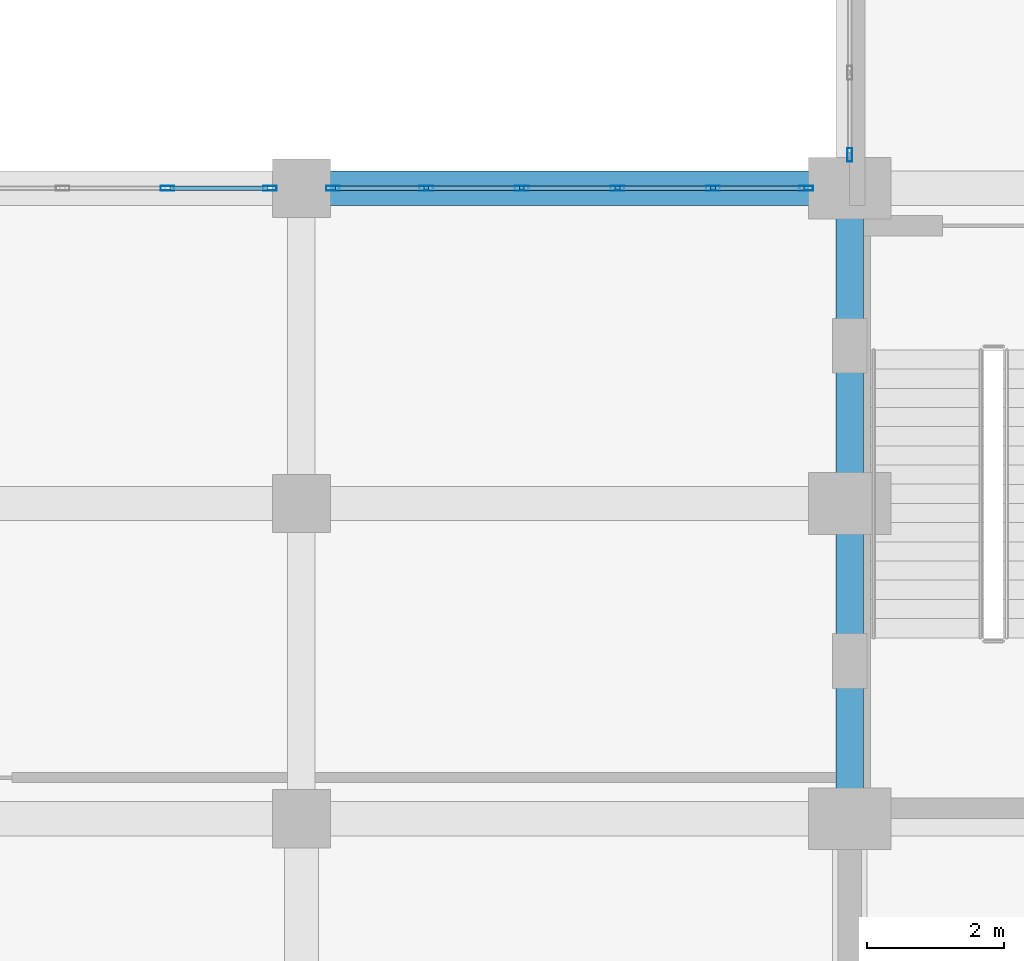
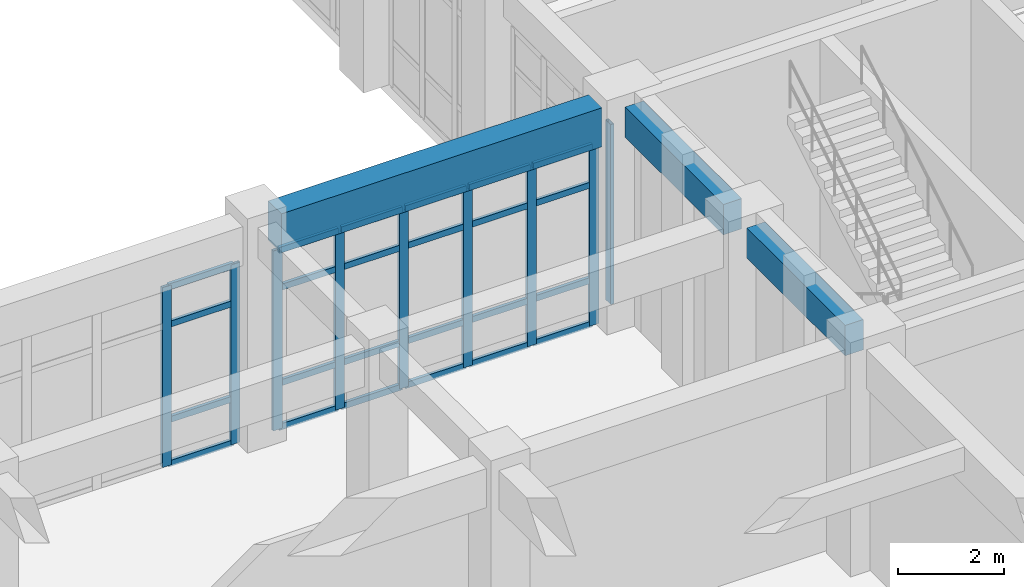
# One storey, part 11 of 84: 33 members, 3 beams, 3 elements without a shape of their own.
"""IFC4 building model written with IfcOpenShell, lengths in metres."""

from ifc_helpers import new_model, si_unit, direction, frame, origin, origin_2d, place, context, subcontext, project, spatial, rectangle, hollow_rectangle, extrude, material, layer, layer_set, material_profile, profile_set, type_object, element, aggregate, save


model = new_model("IFC4")

# Units and contexts
model_context = context("Model", 3, precision=1e-05, world=origin(), true_north=direction((0.0, 1.0)))
body_context = subcontext(model_context, "Body", "Model", "MODEL_VIEW")
ifc_project = project(units=[si_unit("LENGTHUNIT", "METRE"), si_unit("AREAUNIT", "SQUARE_METRE"), si_unit("VOLUMEUNIT", "CUBIC_METRE"), si_unit("PLANEANGLEUNIT", "RADIAN"), si_unit("MASSUNIT", "GRAM", prefix="KILO")], contexts=[model_context])

# Site, building, storey
site_placement = place(None, origin())
site = spatial("IfcSite", under=ifc_project, at=site_placement, CompositionType="ELEMENT")
building_placement = place(site_placement, origin())
building = spatial("IfcBuilding", under=site, at=building_placement, Name="Muzn Square Opera House", CompositionType="ELEMENT")
storey_placement = place(building_placement, origin())
storey = spatial("IfcBuildingStorey", under=building, at=storey_placement, Name="L00", CompositionType="ELEMENT", Elevation=0.0)

# Curtain wall, member
ifc_material_1 = material(Name="Low-E laminated acoustic double glazing", Category="glass")
ifc_layer_1 = layer(ifc_material_1, 0.159912109375, Name="Low-E laminated acoustic double glazing", Category="glass")
ifc_layer_set_1 = layer_set([ifc_layer_1], Name="Low-E laminated acoustic double glazing")
curtain_wall_type_1 = type_object("IfcCurtainWallType", Name="Glazed Curtain Wall WestVaultCourt 3700x4150", PredefinedType="USERDEFINED", material=ifc_layer_set_1)
curtain_wall_1_placement = place(storey_placement, origin())
curtain_wall_1 = element("IfcCurtainWall", 1, at=curtain_wall_1_placement, inside=storey, type_object=curtain_wall_type_1, Name="Glazed Curtain Wall CW-L00-029", ObjectType="GLAZED CURTAIN WALL", PredefinedType="USERDEFINED")
ifc_material_2 = material(Name="Anodised bronze aluminium 6063-T6", Category="metal")
ifc_material_profile_1 = material_profile(ifc_material_2, hollow_rectangle(XDim=0.070068359375, YDim=0.199951171875, WallThickness=0.0048828125, at=origin_2d()), Name="ALU 200x70x5", Category="metal")
ifc_profile_set_1 = profile_set([ifc_material_profile_1], Name="Anodised bronze aluminium 6063-T6")
member_type_1 = type_object("IfcMemberType", Name="Curtain Wall Mullion 200x70", PredefinedType="MULLION", material=ifc_profile_set_1)
member_1_placement = place(storey_placement, frame((43.0, 31.68505859375, 0.0), z_axis=(0.0, 0.0, 1.0), x_axis=(-1.0, 0.0, 0.0)))
member_1 = element("IfcMember", 2, at=member_1_placement, type_object=member_type_1, Name="CW-WVC-37x41 mullion 1", PredefinedType="MULLION", context=body_context, shape_type="SweptSolid", body=[
    extrude(hollow_rectangle(XDim=0.070068359375, YDim=0.199951171875, WallThickness=0.0048828125, at=origin_2d()), origin(), (0.0, 0.0, 1.0), 4.14990234375),
])
aggregate(curtain_wall_1, [member_1])

# Curtain wall, members
ifc_layer_2 = layer(ifc_material_1, 0.159912109375, Name="Low-E laminated acoustic double glazing", Category="glass")
ifc_layer_set_2 = layer_set([ifc_layer_2], Name="Low-E laminated acoustic double glazing")
curtain_wall_type_2 = type_object("IfcCurtainWallType", Name="Glazed Curtain Wall WestCloisterS 7650x4150", PredefinedType="USERDEFINED", material=ifc_layer_set_2)
curtain_wall_2_placement = place(storey_placement, origin())
curtain_wall_2 = element("IfcCurtainWall", 3, at=curtain_wall_2_placement, inside=storey, type_object=curtain_wall_type_2, Name="Glazed Curtain Wall CW-L00-071", ObjectType="GLAZED CURTAIN WALL", PredefinedType="USERDEFINED")
member_2_placement = place(storey_placement, frame((33.044921875, 31.199951171875, 0.0), z_axis=(0.0, 0.0, 1.0), x_axis=(0.0, 1.0, 0.0)))
member_2 = element("IfcMember", 4, at=member_2_placement, type_object=member_type_1, Name="CW-WCS-76x41 mullion 5", PredefinedType="MULLION", context=body_context, shape_type="SweptSolid", body=[
    extrude(hollow_rectangle(XDim=0.070068359375, YDim=0.199951171875, WallThickness=0.0048828125, at=origin_2d()), origin(), (0.0, 0.0, 1.0), 4.14990234375),
])
member_3_placement = place(storey_placement, frame((34.5400390625, 31.199951171875, 0.0), z_axis=(0.0, 0.0, 1.0), x_axis=(0.0, 1.0, 0.0)))
member_3 = element("IfcMember", 5, at=member_3_placement, type_object=member_type_1, Name="CW-WCS-76x41 mullion 6", PredefinedType="MULLION", context=body_context, shape_type="SweptSolid", body=[
    extrude(hollow_rectangle(XDim=0.070068359375, YDim=0.199951171875, WallThickness=0.0048828125, at=origin_2d()), origin(), (0.0, 0.0, 1.0), 4.14990234375),
])

ifc_layer_3 = layer(ifc_material_1, 0.159912109375, Name="Low-E laminated acoustic double glazing", Category="glass")
ifc_layer_set_3 = layer_set([ifc_layer_3], Name="Low-E laminated acoustic double glazing")
curtain_wall_type_3 = type_object("IfcCurtainWallType", Name="Glazed Curtain Wall WestCloisterS 6975x4150", PredefinedType="USERDEFINED", material=ifc_layer_set_3)
curtain_wall_3_placement = place(storey_placement, origin())
curtain_wall_3 = element("IfcCurtainWall", 6, at=curtain_wall_3_placement, inside=storey, type_object=curtain_wall_type_3, Name="Glazed Curtain Wall CW-L00-073", ObjectType="GLAZED CURTAIN WALL", PredefinedType="USERDEFINED")
member_4_placement = place(storey_placement, frame((35.4599609375, 31.199951171875, 0.0), z_axis=(0.0, 0.0, 1.0), x_axis=(0.0, 1.0, 0.0)))
member_4 = element("IfcMember", 7, at=member_4_placement, type_object=member_type_1, Name="CW-WCS-69x41 mullion 1", PredefinedType="MULLION", context=body_context, shape_type="SweptSolid", body=[
    extrude(hollow_rectangle(XDim=0.070068359375, YDim=0.199951171875, WallThickness=0.0048828125, at=origin_2d()), origin(), (0.0, 0.0, 1.0), 4.14990234375),
])
member_5_placement = place(storey_placement, frame((36.820068359375, 31.199951171875, 0.0), z_axis=(0.0, 0.0, 1.0), x_axis=(0.0, 1.0, 0.0)))
member_5 = element("IfcMember", 8, at=member_5_placement, type_object=member_type_1, Name="CW-WCS-69x41 mullion 2", PredefinedType="MULLION", context=body_context, shape_type="SweptSolid", body=[
    extrude(hollow_rectangle(XDim=0.070068359375, YDim=0.199951171875, WallThickness=0.0048828125, at=origin_2d()), origin(), (0.0, 0.0, 1.0), 4.14990234375),
])
member_6_placement = place(storey_placement, frame((38.215087890625, 31.199951171875, 0.0), z_axis=(0.0, 0.0, 1.0), x_axis=(0.0, 1.0, 0.0)))
member_6 = element("IfcMember", 9, at=member_6_placement, type_object=member_type_1, Name="CW-WCS-69x41 mullion 3", PredefinedType="MULLION", context=body_context, shape_type="SweptSolid", body=[
    extrude(hollow_rectangle(XDim=0.070068359375, YDim=0.199951171875, WallThickness=0.0048828125, at=origin_2d()), origin(), (0.0, 0.0, 1.0), 4.14990234375),
])
member_7_placement = place(storey_placement, frame((39.610107421875, 31.199951171875, 0.0), z_axis=(0.0, 0.0, 1.0), x_axis=(0.0, 1.0, 0.0)))
member_7 = element("IfcMember", 10, at=member_7_placement, type_object=member_type_1, Name="CW-WCS-69x41 mullion 4", PredefinedType="MULLION", context=body_context, shape_type="SweptSolid", body=[
    extrude(hollow_rectangle(XDim=0.070068359375, YDim=0.199951171875, WallThickness=0.0048828125, at=origin_2d()), origin(), (0.0, 0.0, 1.0), 4.14990234375),
])
member_8_placement = place(storey_placement, frame((41.0048828125, 31.199951171875, 0.0), z_axis=(0.0, 0.0, 1.0), x_axis=(0.0, 1.0, 0.0)))
member_8 = element("IfcMember", 11, at=member_8_placement, type_object=member_type_1, Name="CW-WCS-69x41 mullion 5", PredefinedType="MULLION", context=body_context, shape_type="SweptSolid", body=[
    extrude(hollow_rectangle(XDim=0.070068359375, YDim=0.199951171875, WallThickness=0.0048828125, at=origin_2d()), origin(), (0.0, 0.0, 1.0), 4.14990234375),
])
member_9_placement = place(storey_placement, frame((42.364990234375, 31.199951171875, 0.0), z_axis=(0.0, 0.0, 1.0), x_axis=(0.0, 1.0, 0.0)))
member_9 = element("IfcMember", 12, at=member_9_placement, type_object=member_type_1, Name="CW-WCS-69x41 mullion 6", PredefinedType="MULLION", context=body_context, shape_type="SweptSolid", body=[
    extrude(hollow_rectangle(XDim=0.070068359375, YDim=0.199951171875, WallThickness=0.0048828125, at=origin_2d()), origin(), (0.0, 0.0, 1.0), 4.14990234375),
])

# Member
ifc_material_profile_2 = material_profile(ifc_material_2, hollow_rectangle(XDim=0.070068359375, YDim=0.139892578125, WallThickness=0.00390625, at=origin_2d()), Name="ALU 140x70x4", Category="metal")
ifc_profile_set_2 = profile_set([ifc_material_profile_2], Name="Anodised bronze aluminium 6063-T6")
member_type_2 = type_object("IfcMemberType", Name="Curtain Wall Transom 140x70", PredefinedType="USERDEFINED", material=ifc_profile_set_2)
member_10_placement = place(storey_placement, frame((33.080078125, 31.199951171875, 0.034912109375), z_axis=(1.0, 0.0, 0.0), x_axis=(0.0, 1.0, 0.0)))
member_10 = element("IfcMember", 13, at=member_10_placement, type_object=member_type_2, Name="CW-WCS-76x41 transom 5.1", ObjectType="TRANSOM", PredefinedType="USERDEFINED", context=body_context, shape_type="SweptSolid", body=[
    extrude(hollow_rectangle(XDim=0.070068359375, YDim=0.139892578125, WallThickness=0.00390625, at=origin_2d()), origin(), (0.0, 0.0, 1.0), 1.4248046875),
])

member_11_placement = place(storey_placement, frame((33.080078125, 31.199951171875, 1.050048828125), z_axis=(1.0, 0.0, 0.0), x_axis=(0.0, 1.0, 0.0)))
member_11 = element("IfcMember", 14, at=member_11_placement, type_object=member_type_2, Name="CW-WCS-76x41 transom 5.2", ObjectType="TRANSOM", PredefinedType="USERDEFINED", context=body_context, shape_type="SweptSolid", body=[
    extrude(hollow_rectangle(XDim=0.070068359375, YDim=0.139892578125, WallThickness=0.00390625, at=origin_2d()), origin(), (0.0, 0.0, 1.0), 1.4248046875),
])

member_12_placement = place(storey_placement, frame((33.080078125, 31.199951171875, 3.25), z_axis=(1.0, 0.0, 0.0), x_axis=(0.0, 1.0, 0.0)))
member_12 = element("IfcMember", 15, at=member_12_placement, type_object=member_type_2, Name="CW-WCS-76x41 transom 5.3", ObjectType="TRANSOM", PredefinedType="USERDEFINED", context=body_context, shape_type="SweptSolid", body=[
    extrude(hollow_rectangle(XDim=0.070068359375, YDim=0.139892578125, WallThickness=0.00390625, at=origin_2d()), origin(), (0.0, 0.0, 1.0), 1.4248046875),
])

member_13_placement = place(storey_placement, frame((33.080078125, 31.199951171875, 4.114990234375), z_axis=(1.0, 0.0, 0.0), x_axis=(0.0, 1.0, 0.0)))
member_13 = element("IfcMember", 16, at=member_13_placement, type_object=member_type_2, Name="CW-WCS-76x41 transom 5.4", ObjectType="TRANSOM", PredefinedType="USERDEFINED", context=body_context, shape_type="SweptSolid", body=[
    extrude(hollow_rectangle(XDim=0.070068359375, YDim=0.139892578125, WallThickness=0.00390625, at=origin_2d()), origin(), (0.0, 0.0, 1.0), 1.4248046875),
])

aggregate(curtain_wall_2, [member_2, member_3, member_10, member_11, member_12, member_13])

member_14_placement = place(storey_placement, frame((35.4951171875, 31.199951171875, 0.034912109375), z_axis=(1.0, 0.0, 0.0), x_axis=(0.0, 1.0, 0.0)))
member_14 = element("IfcMember", 17, at=member_14_placement, type_object=member_type_2, Name="CW-WCS-69x41 transom 1.1", ObjectType="TRANSOM", PredefinedType="USERDEFINED", context=body_context, shape_type="SweptSolid", body=[
    extrude(hollow_rectangle(XDim=0.070068359375, YDim=0.139892578125, WallThickness=0.00390625, at=origin_2d()), origin(), (0.0, 0.0, 1.0), 1.289794921875),
])

member_15_placement = place(storey_placement, frame((35.4951171875, 31.199951171875, 1.050048828125), z_axis=(1.0, 0.0, 0.0), x_axis=(0.0, 1.0, 0.0)))
member_15 = element("IfcMember", 18, at=member_15_placement, type_object=member_type_2, Name="CW-WCS-69x41 transom 1.2", ObjectType="TRANSOM", PredefinedType="USERDEFINED", context=body_context, shape_type="SweptSolid", body=[
    extrude(hollow_rectangle(XDim=0.070068359375, YDim=0.139892578125, WallThickness=0.00390625, at=origin_2d()), origin(), (0.0, 0.0, 1.0), 1.289794921875),
])

member_16_placement = place(storey_placement, frame((35.4951171875, 31.199951171875, 3.25), z_axis=(1.0, 0.0, 0.0), x_axis=(0.0, 1.0, 0.0)))
member_16 = element("IfcMember", 19, at=member_16_placement, type_object=member_type_2, Name="CW-WCS-69x41 transom 1.3", ObjectType="TRANSOM", PredefinedType="USERDEFINED", context=body_context, shape_type="SweptSolid", body=[
    extrude(hollow_rectangle(XDim=0.070068359375, YDim=0.139892578125, WallThickness=0.00390625, at=origin_2d()), origin(), (0.0, 0.0, 1.0), 1.289794921875),
])

member_17_placement = place(storey_placement, frame((35.4951171875, 31.199951171875, 4.114990234375), z_axis=(1.0, 0.0, 0.0), x_axis=(0.0, 1.0, 0.0)))
member_17 = element("IfcMember", 20, at=member_17_placement, type_object=member_type_2, Name="CW-WCS-69x41 transom 1.4", ObjectType="TRANSOM", PredefinedType="USERDEFINED", context=body_context, shape_type="SweptSolid", body=[
    extrude(hollow_rectangle(XDim=0.070068359375, YDim=0.139892578125, WallThickness=0.00390625, at=origin_2d()), origin(), (0.0, 0.0, 1.0), 1.289794921875),
])

member_18_placement = place(storey_placement, frame((36.85498046875, 31.199951171875, 0.034912109375), z_axis=(1.0, 0.0, 0.0), x_axis=(0.0, 1.0, 0.0)))
member_18 = element("IfcMember", 21, at=member_18_placement, type_object=member_type_2, Name="CW-WCS-69x41 transom 2.1", ObjectType="TRANSOM", PredefinedType="USERDEFINED", context=body_context, shape_type="SweptSolid", body=[
    extrude(hollow_rectangle(XDim=0.070068359375, YDim=0.139892578125, WallThickness=0.00390625, at=origin_2d()), origin(), (0.0, 0.0, 1.0), 1.324951171875),
])

member_19_placement = place(storey_placement, frame((36.85498046875, 31.199951171875, 1.050048828125), z_axis=(1.0, 0.0, 0.0), x_axis=(0.0, 1.0, 0.0)))
member_19 = element("IfcMember", 22, at=member_19_placement, type_object=member_type_2, Name="CW-WCS-69x41 transom 2.2", ObjectType="TRANSOM", PredefinedType="USERDEFINED", context=body_context, shape_type="SweptSolid", body=[
    extrude(hollow_rectangle(XDim=0.070068359375, YDim=0.139892578125, WallThickness=0.00390625, at=origin_2d()), origin(), (0.0, 0.0, 1.0), 1.324951171875),
])

member_20_placement = place(storey_placement, frame((36.85498046875, 31.199951171875, 3.25), z_axis=(1.0, 0.0, 0.0), x_axis=(0.0, 1.0, 0.0)))
member_20 = element("IfcMember", 23, at=member_20_placement, type_object=member_type_2, Name="CW-WCS-69x41 transom 2.3", ObjectType="TRANSOM", PredefinedType="USERDEFINED", context=body_context, shape_type="SweptSolid", body=[
    extrude(hollow_rectangle(XDim=0.070068359375, YDim=0.139892578125, WallThickness=0.00390625, at=origin_2d()), origin(), (0.0, 0.0, 1.0), 1.324951171875),
])

member_21_placement = place(storey_placement, frame((36.85498046875, 31.199951171875, 4.114990234375), z_axis=(1.0, 0.0, 0.0), x_axis=(0.0, 1.0, 0.0)))
member_21 = element("IfcMember", 24, at=member_21_placement, type_object=member_type_2, Name="CW-WCS-69x41 transom 2.4", ObjectType="TRANSOM", PredefinedType="USERDEFINED", context=body_context, shape_type="SweptSolid", body=[
    extrude(hollow_rectangle(XDim=0.070068359375, YDim=0.139892578125, WallThickness=0.00390625, at=origin_2d()), origin(), (0.0, 0.0, 1.0), 1.324951171875),
])

member_22_placement = place(storey_placement, frame((38.25, 31.199951171875, 0.034912109375), z_axis=(1.0, 0.0, 0.0), x_axis=(0.0, 1.0, 0.0)))
member_22 = element("IfcMember", 25, at=member_22_placement, type_object=member_type_2, Name="CW-WCS-69x41 transom 3.1", ObjectType="TRANSOM", PredefinedType="USERDEFINED", context=body_context, shape_type="SweptSolid", body=[
    extrude(hollow_rectangle(XDim=0.070068359375, YDim=0.139892578125, WallThickness=0.00390625, at=origin_2d()), origin(), (0.0, 0.0, 1.0), 1.324951171875),
])

member_23_placement = place(storey_placement, frame((38.25, 31.199951171875, 1.050048828125), z_axis=(1.0, 0.0, 0.0), x_axis=(0.0, 1.0, 0.0)))
member_23 = element("IfcMember", 26, at=member_23_placement, type_object=member_type_2, Name="CW-WCS-69x41 transom 3.2", ObjectType="TRANSOM", PredefinedType="USERDEFINED", context=body_context, shape_type="SweptSolid", body=[
    extrude(hollow_rectangle(XDim=0.070068359375, YDim=0.139892578125, WallThickness=0.00390625, at=origin_2d()), origin(), (0.0, 0.0, 1.0), 1.324951171875),
])

member_24_placement = place(storey_placement, frame((38.25, 31.199951171875, 3.25), z_axis=(1.0, 0.0, 0.0), x_axis=(0.0, 1.0, 0.0)))
member_24 = element("IfcMember", 27, at=member_24_placement, type_object=member_type_2, Name="CW-WCS-69x41 transom 3.3", ObjectType="TRANSOM", PredefinedType="USERDEFINED", context=body_context, shape_type="SweptSolid", body=[
    extrude(hollow_rectangle(XDim=0.070068359375, YDim=0.139892578125, WallThickness=0.00390625, at=origin_2d()), origin(), (0.0, 0.0, 1.0), 1.324951171875),
])

member_25_placement = place(storey_placement, frame((38.25, 31.199951171875, 4.114990234375), z_axis=(1.0, 0.0, 0.0), x_axis=(0.0, 1.0, 0.0)))
member_25 = element("IfcMember", 28, at=member_25_placement, type_object=member_type_2, Name="CW-WCS-69x41 transom 3.4", ObjectType="TRANSOM", PredefinedType="USERDEFINED", context=body_context, shape_type="SweptSolid", body=[
    extrude(hollow_rectangle(XDim=0.070068359375, YDim=0.139892578125, WallThickness=0.00390625, at=origin_2d()), origin(), (0.0, 0.0, 1.0), 1.324951171875),
])

member_26_placement = place(storey_placement, frame((39.64501953125, 31.199951171875, 0.034912109375), z_axis=(1.0, 0.0, 0.0), x_axis=(0.0, 1.0, 0.0)))
member_26 = element("IfcMember", 29, at=member_26_placement, type_object=member_type_2, Name="CW-WCS-69x41 transom 4.1", ObjectType="TRANSOM", PredefinedType="USERDEFINED", context=body_context, shape_type="SweptSolid", body=[
    extrude(hollow_rectangle(XDim=0.070068359375, YDim=0.139892578125, WallThickness=0.00390625, at=origin_2d()), origin(), (0.0, 0.0, 1.0), 1.324951171875),
])

member_27_placement = place(storey_placement, frame((39.64501953125, 31.199951171875, 1.050048828125), z_axis=(1.0, 0.0, 0.0), x_axis=(0.0, 1.0, 0.0)))
member_27 = element("IfcMember", 30, at=member_27_placement, type_object=member_type_2, Name="CW-WCS-69x41 transom 4.2", ObjectType="TRANSOM", PredefinedType="USERDEFINED", context=body_context, shape_type="SweptSolid", body=[
    extrude(hollow_rectangle(XDim=0.070068359375, YDim=0.139892578125, WallThickness=0.00390625, at=origin_2d()), origin(), (0.0, 0.0, 1.0), 1.324951171875),
])

member_28_placement = place(storey_placement, frame((39.64501953125, 31.199951171875, 3.25), z_axis=(1.0, 0.0, 0.0), x_axis=(0.0, 1.0, 0.0)))
member_28 = element("IfcMember", 31, at=member_28_placement, type_object=member_type_2, Name="CW-WCS-69x41 transom 4.3", ObjectType="TRANSOM", PredefinedType="USERDEFINED", context=body_context, shape_type="SweptSolid", body=[
    extrude(hollow_rectangle(XDim=0.070068359375, YDim=0.139892578125, WallThickness=0.00390625, at=origin_2d()), origin(), (0.0, 0.0, 1.0), 1.324951171875),
])

member_29_placement = place(storey_placement, frame((39.64501953125, 31.199951171875, 4.114990234375), z_axis=(1.0, 0.0, 0.0), x_axis=(0.0, 1.0, 0.0)))
member_29 = element("IfcMember", 32, at=member_29_placement, type_object=member_type_2, Name="CW-WCS-69x41 transom 4.4", ObjectType="TRANSOM", PredefinedType="USERDEFINED", context=body_context, shape_type="SweptSolid", body=[
    extrude(hollow_rectangle(XDim=0.070068359375, YDim=0.139892578125, WallThickness=0.00390625, at=origin_2d()), origin(), (0.0, 0.0, 1.0), 1.324951171875),
])

member_30_placement = place(storey_placement, frame((41.0400390625, 31.199951171875, 0.034912109375), z_axis=(1.0, 0.0, 0.0), x_axis=(0.0, 1.0, 0.0)))
member_30 = element("IfcMember", 33, at=member_30_placement, type_object=member_type_2, Name="CW-WCS-69x41 transom 5.1", ObjectType="TRANSOM", PredefinedType="USERDEFINED", context=body_context, shape_type="SweptSolid", body=[
    extrude(hollow_rectangle(XDim=0.070068359375, YDim=0.139892578125, WallThickness=0.00390625, at=origin_2d()), origin(), (0.0, 0.0, 1.0), 1.2900390625),
])

member_31_placement = place(storey_placement, frame((41.0400390625, 31.199951171875, 1.050048828125), z_axis=(1.0, 0.0, 0.0), x_axis=(0.0, 1.0, 0.0)))
member_31 = element("IfcMember", 34, at=member_31_placement, type_object=member_type_2, Name="CW-WCS-69x41 transom 5.2", ObjectType="TRANSOM", PredefinedType="USERDEFINED", context=body_context, shape_type="SweptSolid", body=[
    extrude(hollow_rectangle(XDim=0.070068359375, YDim=0.139892578125, WallThickness=0.00390625, at=origin_2d()), origin(), (0.0, 0.0, 1.0), 1.2900390625),
])

member_32_placement = place(storey_placement, frame((41.0400390625, 31.199951171875, 3.25), z_axis=(1.0, 0.0, 0.0), x_axis=(0.0, 1.0, 0.0)))
member_32 = element("IfcMember", 35, at=member_32_placement, type_object=member_type_2, Name="CW-WCS-69x41 transom 5.3", ObjectType="TRANSOM", PredefinedType="USERDEFINED", context=body_context, shape_type="SweptSolid", body=[
    extrude(hollow_rectangle(XDim=0.070068359375, YDim=0.139892578125, WallThickness=0.00390625, at=origin_2d()), origin(), (0.0, 0.0, 1.0), 1.2900390625),
])

member_33_placement = place(storey_placement, frame((41.0400390625, 31.199951171875, 4.114990234375), z_axis=(1.0, 0.0, 0.0), x_axis=(0.0, 1.0, 0.0)))
member_33 = element("IfcMember", 36, at=member_33_placement, type_object=member_type_2, Name="CW-WCS-69x41 transom 5.4", ObjectType="TRANSOM", PredefinedType="USERDEFINED", context=body_context, shape_type="SweptSolid", body=[
    extrude(hollow_rectangle(XDim=0.070068359375, YDim=0.139892578125, WallThickness=0.00390625, at=origin_2d()), origin(), (0.0, 0.0, 1.0), 1.2900390625),
])

aggregate(curtain_wall_3, [member_4, member_5, member_6, member_7, member_8, member_9, member_14, member_15, member_16, member_17, member_18, member_19, member_20, member_21, member_22, member_23, member_24, member_25, member_26, member_27, member_28, member_29, member_30, member_31, member_32, member_33])

# Beams
ifc_material_3 = material(Name="Concrete C40/50", Category="concrete")
ifc_material_profile_3 = material_profile(ifc_material_3, rectangle(XDim=0.39990234375, YDim=0.699951171875, at=origin_2d()), Name="RCB 400x700", Category="concrete")
ifc_profile_set_3 = profile_set([ifc_material_profile_3], Name="Concrete C40/50")
beam_type_1 = type_object("IfcBeamType", Name="Primary Girder 400x700", PredefinedType="BEAM", material=ifc_profile_set_3)
for number, where, z_axis, x_axis, name in (
    (37, (43.0, 22.44189453125, 4.77001953125), (0.0, 1.0, 0.0), (-1.0, 0.0, 0.0), "Primary Girder BM-L00-BM-PG700-430_224_430_262-1023"),
    (38, (43.0, 27.0419921875, 4.77001953125), (0.0, 1.0, 0.0), (-1.0, 0.0, 0.0), "Primary Girder BM-L00-BM-PG700-430_270_430_308-1024"),
):
    element("IfcBeam", number, at=place(storey_placement, frame(where, z_axis=z_axis, x_axis=x_axis)), inside=storey, type_object=beam_type_1, Name=name, PredefinedType="BEAM", context=body_context, shape_type="SweptSolid", body=[
        extrude(rectangle(XDim=0.39990234375, YDim=0.699951171875, at=origin_2d()), origin(), (0.0, 0.0, 1.0), 3.716064453125),
    ])
ifc_material_profile_4 = material_profile(ifc_material_3, rectangle(XDim=0.5, YDim=0.89990234375, at=origin_2d()), Name="RCB 500x900", Category="concrete")
ifc_profile_set_4 = profile_set([ifc_material_profile_4], Name="Concrete C40/50")
beam_type_2 = type_object("IfcBeamType", Name="Primary Girder 500x900", PredefinedType="BEAM", material=ifc_profile_set_4)
beam_placement = place(storey_placement, frame((35.4169921875, 31.199951171875, 4.669921875), z_axis=(1.0, 0.0, 0.0), x_axis=(0.0, 1.0, 0.0)))
element("IfcBeam", 39, at=beam_placement, inside=storey, type_object=beam_type_2, Name="Primary Girder BM-L00-BM-PG900-354_312_424_312-793", PredefinedType="BEAM", context=body_context, shape_type="SweptSolid", body=[
    extrude(rectangle(XDim=0.5, YDim=0.89990234375, at=origin_2d()), origin(), (0.0, 0.0, 1.0), 6.990966796875),
])

save(model, "model.ifc")
